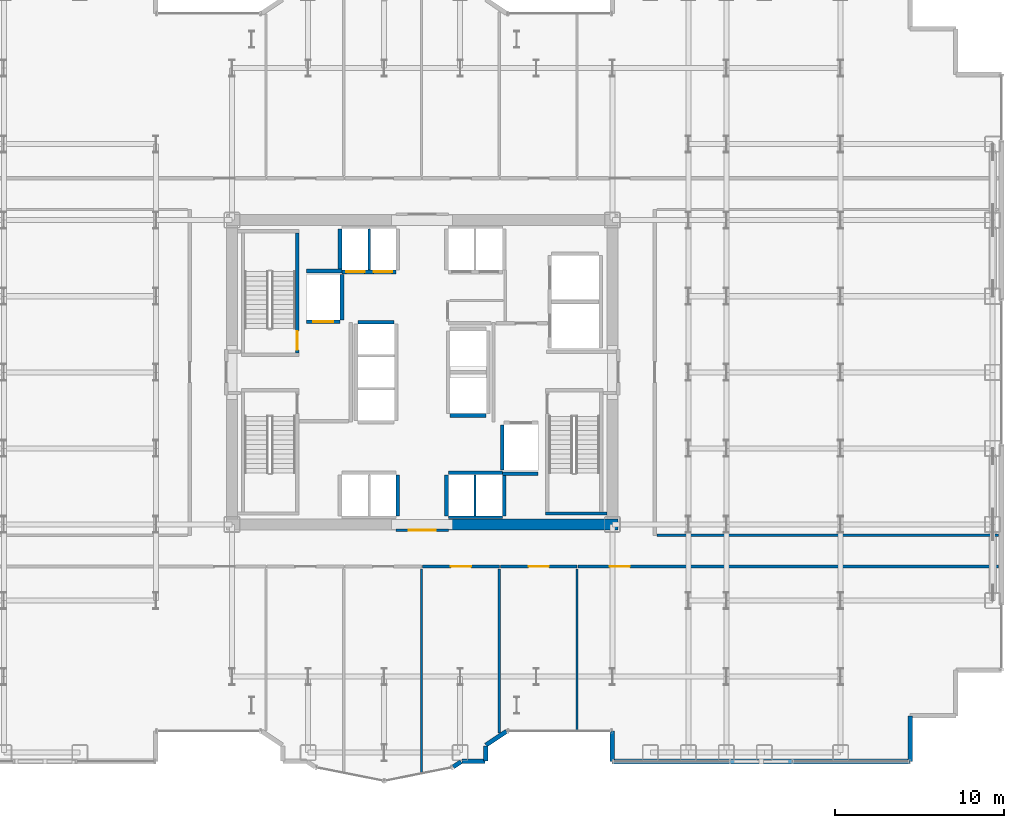
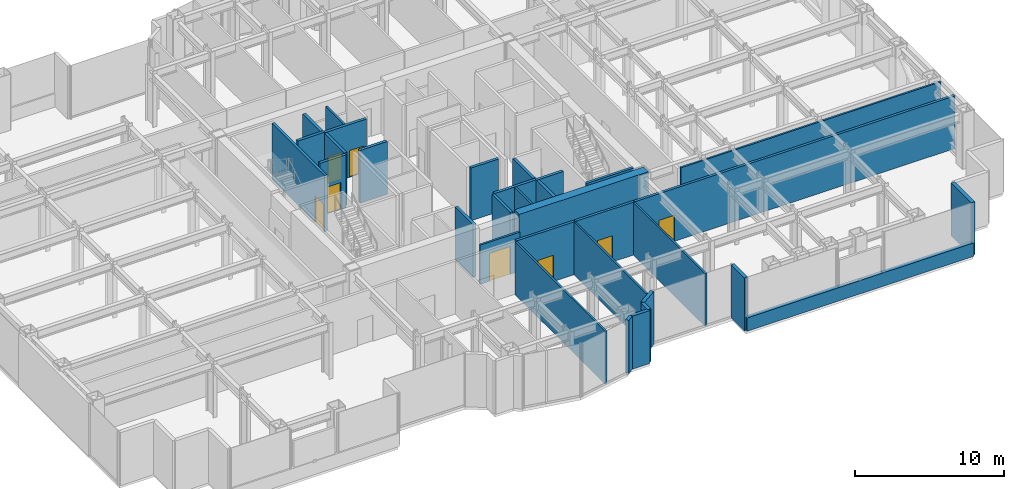
# One storey, part 23 of 30: 34 walls, 8 doors, 8 openings.
"""IFC4 building model written with IfcOpenShell, lengths in metres."""

from ifc_helpers import new_model, si_unit, direction, frame, frame_2d, origin, place, context, subcontext, project, spatial, rectangle, extrude, source, transform, mapped, material, layer, layer_set, type_object, element, fill, save


model = new_model("IFC4")

# Units and contexts
model_context = context("Model", 3, precision=1e-05, world=origin(), true_north=direction((0.0, 1.0)))
body_context = subcontext(model_context, "Body", "Model", "MODEL_VIEW")
ifc_project = project(units=[si_unit("LENGTHUNIT", "METRE"), si_unit("AREAUNIT", "SQUARE_METRE"), si_unit("VOLUMEUNIT", "CUBIC_METRE"), si_unit("PLANEANGLEUNIT", "RADIAN"), si_unit("MASSUNIT", "GRAM", prefix="KILO")], contexts=[model_context])

# Site, building, storey
site_placement = place(None, origin())
site = spatial("IfcSite", under=ifc_project, at=site_placement, CompositionType="ELEMENT")
building_placement = place(site_placement, origin())
building = spatial("IfcBuilding", under=site, at=building_placement, Name="Nefas-Gora Pilgrimage Tower", CompositionType="ELEMENT")
storey_placement = place(building_placement, frame((0.0, 0.0, 86.199951171875)))
storey = spatial("IfcBuildingStorey", under=building, at=storey_placement, Name="L20", CompositionType="ELEMENT", Elevation=86.199951171875)

# Walls
ifc_material_1 = material(Name="Concrete C60/75", Category="concrete")
ifc_layer_1 = layer(ifc_material_1, 0.64990234375)
ifc_layer_set_1 = layer_set([ifc_layer_1], Name="Concrete C60/75")
wall_type_1 = type_object("IfcWallType", Name="SW-CORE-650", PredefinedType="SHEAR", material=ifc_layer_set_1)
shared_shape_1 = source(origin(), body_context, "Body", "SweptSolid", [
    extrude(rectangle(XDim=10.02490234375, YDim=0.64990234375, at=frame_2d((5.012451171875, 0.0))), origin(), (0.0, 0.0, 1.0), 4.60009765625),
])
wall_1_placement = place(storey_placement, frame((1.550048828125, -9.0, 0.0), z_axis=(0.0, 0.0, 1.0), x_axis=(1.0, 0.0, 0.0)))
element("IfcWall", 1, at=wall_1_placement, inside=storey, type_object=wall_type_1, Name="L20 Core Shear Wall S-East", PredefinedType="SHEAR", context=body_context, shape_type="MappedRepresentation", body=[
    mapped(shared_shape_1, transform((0.0, 0.0, 0.0), x_axis=(1.0, 0.0, 0.0), y_axis=(0.0, 1.0, 0.0), z_axis=(0.0, 0.0, 1.0), scale=1.0)),
])
ifc_material_2 = material(Name="Precast concrete C40/50", Category="concrete")
ifc_layer_2 = layer(ifc_material_2, 0.260009765625)
ifc_layer_set_2 = layer_set([ifc_layer_2], Name="Precast concrete C40/50")
wall_type_2 = type_object("IfcWallType", Name="EW-PORTAL-260", PredefinedType="SOLIDWALL", material=ifc_layer_set_2)
shared_shape_2 = source(origin(), body_context, "Body", "SweptSolid", [
    extrude(rectangle(XDim=1.800048828125, YDim=0.260009765625, at=frame_2d((0.89990234375, 0.0))), origin(), (0.0, 0.0, 1.0), 4.35009765625),
])
wall_2_placement = place(storey_placement, frame((11.25, -21.219970703125, 0.0), z_axis=(0.0, 0.0, 1.0), x_axis=(0.0, -1.0, 0.0)))
element("IfcWall", 2, at=wall_2_placement, inside=storey, type_object=wall_type_2, Name="L20 Lobe Shoulder Precast Spandrel Pier 5", PredefinedType="SOLIDWALL", context=body_context, shape_type="MappedRepresentation", body=[
    mapped(shared_shape_2, transform((0.0, 0.0, 0.0), x_axis=(1.0, 0.0, 0.0), y_axis=(0.0, 1.0, 0.0), z_axis=(0.0, 0.0, 1.0), scale=1.0)),
])
ifc_material_3 = material(Name="Precast concrete C45/55", Category="concrete")
ifc_layer_3 = layer(ifc_material_3, 0.280029296875)
ifc_layer_set_3 = layer_set([ifc_layer_3], Name="Precast concrete C45/55")
wall_type_3 = type_object("IfcWallType", Name="EW-PLANT-280", PredefinedType="SOLIDWALL", material=ifc_layer_set_3)
shared_shape_3 = source(origin(), body_context, "Body", "SweptSolid", [
    extrude(rectangle(XDim=17.6201171875, YDim=0.280029296875, at=frame_2d((8.81005859375, 0.0))), origin(), (0.0, 0.0, 1.0), 1.10009765625),
])
wall_3_placement = place(storey_placement, frame((11.25, -23.02001953125, 0.0), z_axis=(0.0, 0.0, 1.0), x_axis=(1.0, 0.0, 0.0)))
element("IfcWall", 3, at=wall_3_placement, inside=storey, type_object=wall_type_3, Name="L20 Plant Upstand Spandrel Wall 6", PredefinedType="SOLIDWALL", context=body_context, shape_type="MappedRepresentation", body=[
    mapped(shared_shape_3, transform((0.0, 0.0, 0.0), x_axis=(1.0, 0.0, 0.0), y_axis=(0.0, 1.0, 0.0), z_axis=(0.0, 0.0, 1.0), scale=1.0)),
])
shared_shape_4 = source(origin(), body_context, "Body", "SweptSolid", [
    extrude(rectangle(XDim=2.699951171875, YDim=0.280029296875, at=frame_2d((1.35009765625, 0.0))), origin(), (0.0, 0.0, 1.0), 4.35009765625),
])
wall_4_placement = place(storey_placement, frame((28.8701171875, -23.02001953125, 0.0), z_axis=(0.0, 0.0, 1.0), x_axis=(0.0, 1.0, 0.0)))
element("IfcWall", 4, at=wall_4_placement, inside=storey, type_object=wall_type_3, Name="L20 Serrated Corner Shear Pier Wall 7", PredefinedType="SOLIDWALL", context=body_context, shape_type="MappedRepresentation", body=[
    mapped(shared_shape_4, transform((0.0, 0.0, 0.0), x_axis=(1.0, 0.0, 0.0), y_axis=(0.0, 1.0, 0.0), z_axis=(0.0, 0.0, 1.0), scale=1.0)),
])
shared_shape_5 = source(origin(), body_context, "Body", "SweptSolid", [
    extrude(rectangle(XDim=1.468994140625, YDim=0.260009765625, at=frame_2d((0.734375, 0.0))), origin(), (0.0, 0.0, 1.0), 4.35009765625),
])
wall_5_placement = place(storey_placement, frame((3.773193359375, -22.0517578125, 0.0), z_axis=(0.0, 0.0, 1.0), x_axis=(0.831461760506, 0.555581983884, 0.0)))
element("IfcWall", 5, at=wall_5_placement, inside=storey, type_object=wall_type_2, Name="L20 Lobe Shoulder Precast Spandrel Pier 44", PredefinedType="SOLIDWALL", context=body_context, shape_type="MappedRepresentation", body=[
    mapped(shared_shape_5, transform((0.0, 0.0, 0.0), x_axis=(1.0, 0.0, 0.0), y_axis=(0.0, 1.0, 0.0), z_axis=(0.0, 0.0, 1.0), scale=1.0)),
])
shared_shape_6 = source(origin(), body_context, "Body", "SweptSolid", [
    extrude(rectangle(XDim=0.896728515625, YDim=0.260009765625, at=frame_2d((0.4482421875, 0.0))), origin(), (0.0, 0.0, 1.0), 4.35009765625),
])
wall_6_placement = place(storey_placement, frame((3.75, -22.991943359375, 0.0), z_axis=(0.0, 0.0, 1.0), x_axis=(0.0, 1.0, 0.0)))
element("IfcWall", 6, at=wall_6_placement, inside=storey, type_object=wall_type_2, Name="L20 Lobe Shoulder Precast Spandrel Pier 43", PredefinedType="SOLIDWALL", context=body_context, shape_type="MappedRepresentation", body=[
    mapped(shared_shape_6, transform((0.0, 0.0, 0.0), x_axis=(1.0, 0.0, 0.0), y_axis=(0.0, 1.0, 0.0), z_axis=(0.0, 0.0, 1.0), scale=1.0)),
])
shared_shape_7 = source(origin(), body_context, "Body", "SweptSolid", [
    extrude(rectangle(XDim=1.369873046875, YDim=0.260009765625, at=frame_2d((0.68505859375, 0.0))), origin(), (0.0, 0.0, 1.0), 4.35009765625),
])
wall_7_placement = place(storey_placement, frame((2.35205078125, -23.02001953125, 0.0), z_axis=(0.0, 0.0, 1.0), x_axis=(1.0, 0.0, 0.0)))
element("IfcWall", 7, at=wall_7_placement, inside=storey, type_object=wall_type_2, Name="L20 Lobe Shoulder Precast Spandrel Pier 42", PredefinedType="SOLIDWALL", context=body_context, shape_type="MappedRepresentation", body=[
    mapped(shared_shape_7, transform((0.0, 0.0, 0.0), x_axis=(1.0, 0.0, 0.0), y_axis=(0.0, 1.0, 0.0), z_axis=(0.0, 0.0, 1.0), scale=1.0)),
])
shared_shape_8 = source(origin(), body_context, "Body", "SweptSolid", [
    extrude(rectangle(XDim=0.5654296875, YDim=0.260009765625, at=frame_2d((0.28271484375, 0.0))), origin(), (0.0, 0.0, 1.0), 4.35009765625),
])
wall_8_placement = place(storey_placement, frame((1.83056640625, -23.349609375, 0.0), z_axis=(0.0, 0.0, 1.0), x_axis=(0.831651492666, 0.555297933317, 0.0)))
element("IfcWall", 8, at=wall_8_placement, inside=storey, type_object=wall_type_2, Name="L20 Lobe Shoulder Precast Spandrel Pier 41", PredefinedType="SOLIDWALL", context=body_context, shape_type="MappedRepresentation", body=[
    mapped(shared_shape_8, transform((0.0, 0.0, 0.0), x_axis=(1.0, 0.0, 0.0), y_axis=(0.0, 1.0, 0.0), z_axis=(0.0, 0.0, 1.0), scale=1.0)),
])
ifc_material_4 = material(Name="Concrete C45/55", Category="concrete")
ifc_layer_4 = layer(ifc_material_4, 0.199951171875)
ifc_layer_set_4 = layer_set([ifc_layer_4], Name="Concrete C45/55")
wall_type_4 = type_object("IfcWallType", Name="IW-STAIR-200", PredefinedType="SOLIDWALL", material=ifc_layer_set_4)
shared_shape_9 = source(origin(), body_context, "Body", "SweptSolid", [
    extrude(rectangle(XDim=3.6298828125, YDim=0.199951171875, at=frame_2d((1.81494140625, 0.0))), origin(), (0.0, 0.0, 1.0), 4.60009765625),
])
wall_9_placement = place(storey_placement, frame((7.300048828125, -8.35009765625, 0.0), z_axis=(0.0, 0.0, 1.0), x_axis=(1.0, 0.0, 0.0)))
element("IfcWall", 9, at=wall_9_placement, inside=storey, type_object=wall_type_4, Name="L20 Stairwell Shear Wall ST-02-far", PredefinedType="SOLIDWALL", context=body_context, shape_type="MappedRepresentation", body=[
    mapped(shared_shape_9, transform((0.0, 0.0, 0.0), x_axis=(1.0, 0.0, 0.0), y_axis=(0.0, 1.0, 0.0), z_axis=(0.0, 0.0, 1.0), scale=1.0)),
])

# Wall, opening, door
shared_shape_10 = source(origin(), body_context, "Body", "SweptSolid", [
    extrude(rectangle(XDim=7.10009765625, YDim=0.199951171875, at=frame_2d((3.550048828125, 0.0))), origin(), (0.0, 0.0, 1.0), 4.60009765625),
])
wall_10_placement = place(storey_placement, frame((-7.39990234375, 1.14990234375, 0.0), z_axis=(0.0, 0.0, 1.0), x_axis=(0.0, 1.0, 0.0)))
wall_10 = element("IfcWall", 10, at=wall_10_placement, inside=storey, type_object=wall_type_4, Name="L20 Stairwell Shear Wall ST-01-left", PredefinedType="SOLIDWALL", context=body_context, shape_type="MappedRepresentation", body=[
    mapped(shared_shape_10, transform((0.0, 0.0, 0.0), x_axis=(1.0, 0.0, 0.0), y_axis=(0.0, 1.0, 0.0), z_axis=(0.0, 0.0, 1.0), scale=1.0)),
])
opening_1_placement = place(wall_10_placement, frame((0.179931640625, 0.0, 0.0)))
opening_1 = element("IfcOpeningElement", 11, at=opening_1_placement, cuts=wall_10, Name="Opening ID-ST1", PredefinedType="OPENING", context=body_context, shape_type="SweptSolid", body=[
    extrude(rectangle(XDim=1.10009765625, YDim=2.14990234375, at=frame_2d((0.550048828125, 1.074951171875))), frame((0.0, 0.10986328125, 0.0), z_axis=(0.0, -1.0, 0.0), x_axis=(1.0, 0.0, 0.0)), (0.0, 0.0, 1.0), 0.219970703125),
])
ifc_material_5 = material(Name="Painted galvanised steel fire stair door", Category="steel")
door_type_1 = type_object("IfcDoorType", Name="DR-INT-STAIR-1100", OperationType="NOTDEFINED", PredefinedType="DOOR", material=ifc_material_5)
shared_shape_11 = source(origin(), body_context, "Body", "SweptSolid", [
    extrude(rectangle(XDim=1.10009765625, YDim=2.14990234375, at=frame_2d((0.550048828125, 1.074951171875))), frame((0.0, 0.02490234375, 0.0), z_axis=(0.0, -1.0, 0.0), x_axis=(1.0, 0.0, 0.0)), (0.0, 0.0, 1.0), 0.050048828125),
])
door_1_placement = place(opening_1_placement, origin())
door_1 = element("IfcDoor", 12, at=door_1_placement, inside=storey, type_object=door_type_1, Name="L20 Protected Exit Stair Door ST-01", OperationType="SINGLE_SWING_RIGHT", OverallHeight=2.14990234375, OverallWidth=1.10009765625, PredefinedType="DOOR", context=body_context, shape_type="MappedRepresentation", body=[
    mapped(shared_shape_11, transform((0.0, 0.0, 0.0), x_axis=(1.0, 0.0, 0.0), y_axis=(0.0, 1.0, 0.0), z_axis=(0.0, 0.0, 1.0), scale=1.0)),
])
fill(opening_1, door_1)

ifc_material_6 = material(Name="Concrete C40/50", Category="concrete")
ifc_layer_5 = layer(ifc_material_6, 0.219970703125)
ifc_layer_set_5 = layer_set([ifc_layer_5], Name="Concrete C40/50")
wall_type_5 = type_object("IfcWallType", Name="IW-SHAFT-220", PredefinedType="SOLIDWALL", material=ifc_layer_set_5)
shared_shape_12 = source(origin(), body_context, "Body", "SweptSolid", [
    extrude(rectangle(XDim=2.0, YDim=0.219970703125, at=frame_2d((1.0, 0.0))), origin(), (0.0, 0.0, 1.0), 4.3349609375),
])
wall_11_placement = place(storey_placement, frame((-6.85009765625, 2.989990234375, 0.0), z_axis=(0.0, 0.0, 1.0), x_axis=(1.0, 0.0, 0.0)))
wall_11 = element("IfcWall", 13, at=wall_11_placement, inside=storey, type_object=wall_type_5, Name="L20 Hoistway Wall FFL-01-S", PredefinedType="SOLIDWALL", context=body_context, shape_type="MappedRepresentation", body=[
    mapped(shared_shape_12, transform((0.0, 0.0, 0.0), x_axis=(1.0, 0.0, 0.0), y_axis=(0.0, 1.0, 0.0), z_axis=(0.0, 0.0, 1.0), scale=1.0)),
])
opening_2_placement = place(wall_11_placement, frame((0.39990234375, 0.0, 0.0)))
opening_2 = element("IfcOpeningElement", 14, at=opening_2_placement, cuts=wall_11, Name="Opening LD-FF", PredefinedType="OPENING", context=body_context, shape_type="SweptSolid", body=[
    extrude(rectangle(XDim=1.199951171875, YDim=2.199951171875, at=frame_2d((0.60009765625, 1.10009765625))), frame((0.0, 0.119873046875, 0.0), z_axis=(0.0, -1.0, 0.0), x_axis=(1.0, 0.0, 0.0)), (0.0, 0.0, 1.0), 0.239990234375),
])
ifc_material_7 = material(Name="Fire-service sliding lift landing door")
door_type_2 = type_object("IfcDoorType", Name="DR-LIFT-FSAE-1200", OperationType="SLIDING_TO_LEFT", PredefinedType="DOOR", material=ifc_material_7)
shared_shape_13 = source(origin(), body_context, "Body", "SweptSolid", [
    extrude(rectangle(XDim=1.199951171875, YDim=2.199951171875, at=frame_2d((0.60009765625, 1.10009765625))), frame((0.0, 0.02490234375, 0.0), z_axis=(0.0, -1.0, 0.0), x_axis=(1.0, 0.0, 0.0)), (0.0, 0.0, 1.0), 0.050048828125),
])
door_2_placement = place(opening_2_placement, origin())
door_2 = element("IfcDoor", 15, at=door_2_placement, inside=storey, type_object=door_type_2, Name="L20 Sliding Lift Landing Door FFL-01", OperationType="SLIDING_TO_LEFT", OverallHeight=2.199951171875, OverallWidth=1.199951171875, PredefinedType="DOOR", context=body_context, shape_type="MappedRepresentation", body=[
    mapped(shared_shape_13, transform((0.0, 0.0, 0.0), x_axis=(1.0, 0.0, 0.0), y_axis=(0.0, 1.0, 0.0), z_axis=(0.0, 0.0, 1.0), scale=1.0)),
])
fill(opening_2, door_2)

# Walls
shared_shape_14 = source(origin(), body_context, "Body", "SweptSolid", [
    extrude(rectangle(XDim=2.679931640625, YDim=0.219970703125, at=frame_2d((1.33984375, 0.0))), origin(), (0.0, 0.0, 1.0), 4.3349609375),
])
for number, where, z_axis, x_axis, name in (
    (16, (-4.739990234375, 3.110107421875, 0.0), (0.0, 0.0, 1.0), (0.0, 1.0, 0.0), "L20 Hoistway Wall FFL-01-E"),
    (17, (4.739990234375, -3.110107421875, 0.0), (0.0, 0.0, 1.0), (0.0, -1.0, 0.0), "L20 Hoistway Wall FFL-02-W"),
):
    element("IfcWall", number, at=place(storey_placement, frame(where, z_axis=z_axis, x_axis=x_axis)), inside=storey, type_object=wall_type_5, Name=name, PredefinedType="SOLIDWALL", context=body_context, shape_type="MappedRepresentation", body=[
        mapped(shared_shape_14, transform((0.0, 0.0, 0.0), x_axis=(1.0, 0.0, 0.0), y_axis=(0.0, 1.0, 0.0), z_axis=(0.0, 0.0, 1.0), scale=1.0)),
    ])

# Wall, openings, doors
shared_shape_15 = source(origin(), body_context, "Body", "SweptSolid", [
    extrude(rectangle(XDim=3.199951171875, YDim=0.219970703125, at=frame_2d((1.60009765625, 0.0))), origin(), (0.0, 0.0, 1.0), 4.3349609375),
])
wall_12_placement = place(storey_placement, frame((-4.75, 5.93994140625, 0.0), z_axis=(0.0, 0.0, 1.0), x_axis=(1.0, 0.0, 0.0)))
wall_12 = element("IfcWall", 18, at=wall_12_placement, inside=storey, type_object=wall_type_5, Name="L20 Hoistway Wall PL1-W-S", PredefinedType="SOLIDWALL", context=body_context, shape_type="MappedRepresentation", body=[
    mapped(shared_shape_15, transform((0.0, 0.0, 0.0), x_axis=(1.0, 0.0, 0.0), y_axis=(0.0, 1.0, 0.0), z_axis=(0.0, 0.0, 1.0), scale=1.0)),
])
opening_3_placement = place(wall_12_placement, frame((0.25, 0.0, 0.0)))
opening_3 = element("IfcOpeningElement", 19, at=opening_3_placement, cuts=wall_12, Name="Opening LD-01", PredefinedType="OPENING", context=body_context, shape_type="SweptSolid", body=[
    extrude(rectangle(XDim=1.10009765625, YDim=2.199951171875, at=frame_2d((0.550048828125, 1.10009765625))), frame((0.0, 0.119873046875, 0.0), z_axis=(0.0, -1.0, 0.0), x_axis=(1.0, 0.0, 0.0)), (0.0, 0.0, 1.0), 0.239990234375),
])
opening_4_placement = place(wall_12_placement, frame((1.875, 0.0, 0.0)))
opening_4 = element("IfcOpeningElement", 20, at=opening_4_placement, cuts=wall_12, Name="Opening LD-01", PredefinedType="OPENING", context=body_context, shape_type="SweptSolid", body=[
    extrude(rectangle(XDim=1.10009765625, YDim=2.199951171875, at=frame_2d((0.550048828125, 1.10009765625))), frame((0.0, 0.119873046875, 0.0), z_axis=(0.0, -1.0, 0.0), x_axis=(1.0, 0.0, 0.0)), (0.0, 0.0, 1.0), 0.239990234375),
])
ifc_material_8 = material(Name="Brushed stainless sliding lift landing door")
door_type_3 = type_object("IfcDoorType", Name="DR-LIFT-PASS-1100", OperationType="DOUBLE_DOOR_SLIDING", PredefinedType="DOOR", material=ifc_material_8)
shared_shape_16 = source(origin(), body_context, "Body", "SweptSolid", [
    extrude(rectangle(XDim=1.10009765625, YDim=2.199951171875, at=frame_2d((0.550048828125, 1.10009765625))), frame((0.0, 0.02490234375, 0.0), z_axis=(0.0, -1.0, 0.0), x_axis=(1.0, 0.0, 0.0)), (0.0, 0.0, 1.0), 0.050048828125),
])
door_3_placement = place(opening_3_placement, origin())
door_3 = element("IfcDoor", 21, at=door_3_placement, inside=storey, type_object=door_type_3, Name="L20 Sliding Lift Landing Door PL1-01", OperationType="DOUBLE_DOOR_SLIDING", OverallHeight=2.199951171875, OverallWidth=1.10009765625, PredefinedType="DOOR", context=body_context, shape_type="MappedRepresentation", body=[
    mapped(shared_shape_16, transform((0.0, 0.0, 0.0), x_axis=(1.0, 0.0, 0.0), y_axis=(0.0, 1.0, 0.0), z_axis=(0.0, 0.0, 1.0), scale=1.0)),
])
fill(opening_3, door_3)
door_4_placement = place(opening_4_placement, origin())
door_4 = element("IfcDoor", 22, at=door_4_placement, inside=storey, type_object=door_type_3, Name="L20 Sliding Lift Landing Door PL1-02", OperationType="DOUBLE_DOOR_SLIDING", OverallHeight=2.199951171875, OverallWidth=1.10009765625, PredefinedType="DOOR", context=body_context, shape_type="MappedRepresentation", body=[
    mapped(shared_shape_16, transform((0.0, 0.0, 0.0), x_axis=(1.0, 0.0, 0.0), y_axis=(0.0, 1.0, 0.0), z_axis=(0.0, 0.0, 1.0), scale=1.0)),
])
fill(opening_4, door_4)

# Walls
wall_13_placement = place(storey_placement, frame((4.75, -5.93994140625, 0.0), z_axis=(0.0, 0.0, 1.0), x_axis=(-1.0, 0.0, 0.0)))
element("IfcWall", 23, at=wall_13_placement, inside=storey, type_object=wall_type_5, Name="L20 Hoistway Wall PL2-E-N", PredefinedType="SOLIDWALL", context=body_context, shape_type="MappedRepresentation", body=[
    mapped(shared_shape_15, transform((0.0, 0.0, 0.0), x_axis=(1.0, 0.0, 0.0), y_axis=(0.0, 1.0, 0.0), z_axis=(0.0, 0.0, 1.0), scale=1.0)),
])
ifc_material_9 = material(Name="Gypsum acoustic stud partition")
ifc_layer_6 = layer(ifc_material_9, 0.159912109375)
ifc_layer_set_6 = layer_set([ifc_layer_6], Name="Gypsum acoustic stud partition")
wall_type_6 = type_object("IfcWallType", Name="IW-CORR-160", PredefinedType="PARTITIONING", material=ifc_layer_set_6)
shared_shape_17 = source(origin(), body_context, "Body", "SweptSolid", [
    extrude(rectangle(XDim=3.199951171875, YDim=0.159912109375, at=frame_2d((1.60009765625, 0.0))), origin(), (0.0, 0.0, 1.0), 3.22509765625),
])
wall_14_placement = place(storey_placement, frame((1.550048828125, -8.580078125, 0.0), z_axis=(0.0, 0.0, 1.0), x_axis=(1.0, 0.0, 0.0)))
element("IfcWall", 24, at=wall_14_placement, inside=storey, type_object=wall_type_6, Name="L20 Hoistway Wall PL2-E-S", PredefinedType="PARTITIONING", context=body_context, shape_type="MappedRepresentation", body=[
    mapped(shared_shape_17, transform((0.0, 0.0, 0.0), x_axis=(1.0, 0.0, 0.0), y_axis=(0.0, 1.0, 0.0), z_axis=(0.0, 0.0, 1.0), scale=1.0)),
])
shared_shape_18 = source(origin(), body_context, "Body", "SweptSolid", [
    extrude(rectangle(XDim=2.429931640625, YDim=0.219970703125, at=frame_2d((1.21484375, 0.0))), origin(), (0.0, 0.0, 1.0), 4.3349609375),
])
for number, where, z_axis, x_axis, name in (
    (25, (-4.860107421875, 8.489990234375, 0.0), (0.0, 0.0, 1.0), (0.0, -1.0, 0.0), "L20 Hoistway Wall PL1-W-W"),
    (26, (-1.43994140625, -8.489990234375, 0.0), (0.0, 0.0, 1.0), (0.0, 1.0, 0.0), "L20 Hoistway Wall PL2-W-E"),
    (27, (1.43994140625, -6.06005859375, 0.0), (0.0, 0.0, 1.0), (0.0, -1.0, 0.0), "L20 Hoistway Wall PL2-E-W"),
    (28, (4.860107421875, -8.489990234375, 0.0), (0.0, 0.0, 1.0), (0.0, 1.0, 0.0), "L20 Hoistway Wall PL2-E-E"),
):
    element("IfcWall", number, at=place(storey_placement, frame(where, z_axis=z_axis, x_axis=x_axis)), inside=storey, type_object=wall_type_5, Name=name, PredefinedType="SOLIDWALL", context=body_context, shape_type="MappedRepresentation", body=[
        mapped(shared_shape_18, transform((0.0, 0.0, 0.0), x_axis=(1.0, 0.0, 0.0), y_axis=(0.0, 1.0, 0.0), z_axis=(0.0, 0.0, 1.0), scale=1.0)),
    ])
ifc_material_10 = material(Name="Gypsum twin-stud partition")
ifc_layer_7 = layer(ifc_material_10, 0.139892578125)
ifc_layer_set_7 = layer_set([ifc_layer_7], Name="Gypsum twin-stud partition")
wall_type_7 = type_object("IfcWallType", Name="IW-UNIT-140", PredefinedType="PARTITIONING", material=ifc_layer_set_7)
shared_shape_19 = source(origin(), body_context, "Body", "SweptSolid", [
    extrude(rectangle(XDim=2.429931640625, YDim=0.139892578125, at=frame_2d((1.21484375, 0.0))), origin(), (0.0, 0.0, 1.0), 4.3349609375),
])
for number, where, z_axis, x_axis, name in (
    (29, (-3.125, 6.06005859375, 0.0), (0.0, 0.0, 1.0), (0.0, 1.0, 0.0), "L20 Hoistway Wall PL1-W-DIV"),
    (30, (3.125, -8.489990234375, 0.0), (0.0, 0.0, 1.0), (0.0, 1.0, 0.0), "L20 Hoistway Wall PL2-E-DIV"),
):
    element("IfcWall", number, at=place(storey_placement, frame(where, z_axis=z_axis, x_axis=x_axis)), inside=storey, type_object=wall_type_7, Name=name, PredefinedType="PARTITIONING", context=body_context, shape_type="MappedRepresentation", body=[
        mapped(shared_shape_19, transform((0.0, 0.0, 0.0), x_axis=(1.0, 0.0, 0.0), y_axis=(0.0, 1.0, 0.0), z_axis=(0.0, 0.0, 1.0), scale=1.0)),
    ])
shared_shape_20 = source(origin(), body_context, "Body", "SweptSolid", [
    extrude(rectangle(XDim=2.130126953125, YDim=0.219970703125, at=frame_2d((1.06494140625, 0.0))), origin(), (0.0, 0.0, 1.0), 4.3349609375),
])
for number, where, z_axis, x_axis, name in (
    (31, (-1.659912109375, 2.9599609375, 0.0), (0.0, 0.0, 1.0), (-1.0, 0.0, 0.0), "L20 Hoistway Wall PL3-03-N"),
    (32, (1.659912109375, -2.56005859375, 0.0), (0.0, 0.0, 1.0), (1.0, 0.0, 0.0), "L20 Hoistway Wall OBS-01-S"),
):
    element("IfcWall", number, at=place(storey_placement, frame(where, z_axis=z_axis, x_axis=x_axis)), inside=storey, type_object=wall_type_5, Name=name, PredefinedType="SOLIDWALL", context=body_context, shape_type="MappedRepresentation", body=[
        mapped(shared_shape_20, transform((0.0, 0.0, 0.0), x_axis=(1.0, 0.0, 0.0), y_axis=(0.0, 1.0, 0.0), z_axis=(0.0, 0.0, 1.0), scale=1.0)),
    ])
shared_shape_21 = source(origin(), body_context, "Body", "SweptSolid", [
    extrude(rectangle(XDim=2.09521484375, YDim=0.219970703125, at=frame_2d((1.047607421875, 0.0))), origin(), (0.0, 0.0, 1.0), 4.3349609375),
])
for number, where, z_axis, x_axis, name in (
    (33, (-6.85009765625, 6.0, 0.0), (0.0, 0.0, 1.0), (1.0, 0.0, 0.0), "L20 Riser Shaft Wall 1"),
    (34, (4.7548828125, -6.0, 0.0), (0.0, 0.0, 1.0), (1.0, 0.0, 0.0), "L20 Riser Shaft Wall 2"),
):
    element("IfcWall", number, at=place(storey_placement, frame(where, z_axis=z_axis, x_axis=x_axis)), inside=storey, type_object=wall_type_5, Name=name, PredefinedType="SOLIDWALL", context=body_context, shape_type="MappedRepresentation", body=[
        mapped(shared_shape_21, transform((0.0, 0.0, 0.0), x_axis=(1.0, 0.0, 0.0), y_axis=(0.0, 1.0, 0.0), z_axis=(0.0, 0.0, 1.0), scale=1.0)),
    ])

# Wall, opening, door
shared_shape_22 = source(origin(), body_context, "Body", "SweptSolid", [
    extrude(rectangle(XDim=3.08984375, YDim=0.159912109375, at=frame_2d((1.544921875, 0.0))), origin(), (0.0, 0.0, 1.0), 3.22509765625),
])
wall_15_placement = place(storey_placement, frame((-1.544921875, -9.35009765625, 0.0), z_axis=(0.0, 0.0, 1.0), x_axis=(1.0, 0.0, 0.0)))
wall_15 = element("IfcWall", 35, at=wall_15_placement, inside=storey, type_object=wall_type_6, Name="L20 Central Lift Lobby South Portal Wall 15", PredefinedType="PARTITIONING", context=body_context, shape_type="MappedRepresentation", body=[
    mapped(shared_shape_22, transform((0.0, 0.0, 0.0), x_axis=(1.0, 0.0, 0.0), y_axis=(0.0, 1.0, 0.0), z_axis=(0.0, 0.0, 1.0), scale=1.0)),
])
opening_5_placement = place(wall_15_placement, frame((0.7451171875, 0.0, 0.0)))
opening_5 = element("IfcOpeningElement", 36, at=opening_5_placement, cuts=wall_15, Name="Opening ID-HL1", PredefinedType="OPENING", context=body_context, shape_type="SweptSolid", body=[
    extrude(rectangle(XDim=1.60009765625, YDim=2.300048828125, at=frame_2d((0.800048828125, 1.14990234375))), frame((0.0, 0.08984375, 0.0), z_axis=(0.0, -1.0, 0.0), x_axis=(1.0, 0.0, 0.0)), (0.0, 0.0, 1.0), 0.179931640625),
])
ifc_material_11 = material(Name="Double acoustic timber assembly hall door", Category="wood")
door_type_4 = type_object("IfcDoorType", Name="DR-INT-HALL-1600", OperationType="DOUBLE_DOOR_SINGLE_SWING", PredefinedType="DOOR", material=ifc_material_11)
shared_shape_23 = source(origin(), body_context, "Body", "SweptSolid", [
    extrude(rectangle(XDim=1.60009765625, YDim=2.300048828125, at=frame_2d((0.800048828125, 1.14990234375))), frame((0.0, 0.02490234375, 0.0), z_axis=(0.0, -1.0, 0.0), x_axis=(1.0, 0.0, 0.0)), (0.0, 0.0, 1.0), 0.050048828125),
])
door_5_placement = place(opening_5_placement, origin())
door_5 = element("IfcDoor", 37, at=door_5_placement, inside=storey, type_object=door_type_4, Name="L20 Central Lift Lobby South Portal Door 5", OperationType="DOUBLE_DOOR_SINGLE_SWING", OverallHeight=2.300048828125, OverallWidth=1.60009765625, PredefinedType="DOOR", context=body_context, shape_type="MappedRepresentation", body=[
    mapped(shared_shape_23, transform((0.0, 0.0, 0.0), x_axis=(1.0, 0.0, 0.0), y_axis=(0.0, 1.0, 0.0), z_axis=(0.0, 0.0, 1.0), scale=1.0)),
])
fill(opening_5, door_5)

# Wall
shared_shape_24 = source(origin(), body_context, "Body", "SweptSolid", [
    extrude(rectangle(XDim=20.190185546875, YDim=0.139892578125, at=frame_2d((10.09521484375, 0.0))), origin(), (0.0, 0.0, 1.0), 4.3349609375),
])
wall_16_placement = place(storey_placement, frame((13.889892578125, -9.6298828125, 0.0), z_axis=(0.0, 0.0, 1.0), x_axis=(1.0, 0.0, 0.0)))
element("IfcWall", 38, at=wall_16_placement, inside=storey, type_object=wall_type_7, Name="L20 Refuge Area East Partition Wall 24", PredefinedType="PARTITIONING", context=body_context, shape_type="MappedRepresentation", body=[
    mapped(shared_shape_24, transform((0.0, 0.0, 0.0), x_axis=(1.0, 0.0, 0.0), y_axis=(0.0, 1.0, 0.0), z_axis=(0.0, 0.0, 1.0), scale=1.0)),
])

# Wall, opening, door
ifc_layer_8 = layer(ifc_material_6, 0.199951171875)
ifc_layer_set_8 = layer_set([ifc_layer_8], Name="Concrete C40/50")
wall_type_8 = type_object("IfcWallType", Name="IW-PLANT-200", PredefinedType="SOLIDWALL", material=ifc_layer_set_8)
shared_shape_25 = source(origin(), body_context, "Body", "SweptSolid", [
    extrude(rectangle(XDim=24.85009765625, YDim=0.199951171875, at=frame_2d((12.425048828125, 0.0))), origin(), (0.0, 0.0, 1.0), 4.3349609375),
])
wall_17_placement = place(storey_placement, frame((9.22998046875, -11.489990234375, 0.0), z_axis=(0.0, 0.0, 1.0), x_axis=(1.0, 0.0, 0.0)))
wall_17 = element("IfcWall", 39, at=wall_17_placement, inside=storey, type_object=wall_type_8, Name="L20 Emergency Smoke Extract Fan Plant Room Partition Wall 46", PredefinedType="SOLIDWALL", context=body_context, shape_type="MappedRepresentation", body=[
    mapped(shared_shape_25, transform((0.0, 0.0, 0.0), x_axis=(1.0, 0.0, 0.0), y_axis=(0.0, 1.0, 0.0), z_axis=(0.0, 0.0, 1.0), scale=1.0)),
])
opening_6_placement = place(wall_17_placement, frame((1.864013671875, 0.0, 0.0)))
opening_6 = element("IfcOpeningElement", 40, at=opening_6_placement, cuts=wall_17, Name="Opening ID-PL1", PredefinedType="OPENING", context=body_context, shape_type="SweptSolid", body=[
    extrude(rectangle(XDim=1.199951171875, YDim=2.14990234375, at=frame_2d((0.60009765625, 1.074951171875))), frame((0.0, 0.10986328125, 0.0), z_axis=(0.0, -1.0, 0.0), x_axis=(1.0, 0.0, 0.0)), (0.0, 0.0, 1.0), 0.219970703125),
])
ifc_material_12 = material(Name="Heavy-duty steel plant room fire door", Category="steel")
door_type_5 = type_object("IfcDoorType", Name="DR-INT-PLANT-1200", OperationType="NOTDEFINED", PredefinedType="DOOR", material=ifc_material_12)
shared_shape_26 = source(origin(), body_context, "Body", "SweptSolid", [
    extrude(rectangle(XDim=1.199951171875, YDim=2.14990234375, at=frame_2d((0.60009765625, 1.074951171875))), frame((0.0, 0.02490234375, 0.0), z_axis=(0.0, -1.0, 0.0), x_axis=(1.0, 0.0, 0.0)), (0.0, 0.0, 1.0), 0.050048828125),
])
door_6_placement = place(opening_6_placement, origin())
door_6 = element("IfcDoor", 41, at=door_6_placement, inside=storey, type_object=door_type_5, Name="L20 Emergency Smoke Extract Fan Plant Room Door 20", OperationType="SINGLE_SWING_LEFT", OverallHeight=2.14990234375, OverallWidth=1.199951171875, PredefinedType="DOOR", context=body_context, shape_type="MappedRepresentation", body=[
    mapped(shared_shape_26, transform((0.0, 0.0, 0.0), x_axis=(1.0, 0.0, 0.0), y_axis=(0.0, 1.0, 0.0), z_axis=(0.0, 0.0, 1.0), scale=1.0)),
])
fill(opening_6, door_6)

shared_shape_27 = source(origin(), body_context, "Body", "SweptSolid", [
    extrude(rectangle(XDim=4.5400390625, YDim=0.199951171875, at=frame_2d((2.27001953125, 0.0))), origin(), (0.0, 0.0, 1.0), 4.3349609375),
])
wall_18_placement = place(storey_placement, frame((0.030029296875, -11.489990234375, 0.0), z_axis=(0.0, 0.0, 1.0), x_axis=(1.0, 0.0, 0.0)))
wall_18 = element("IfcWall", 42, at=wall_18_placement, inside=storey, type_object=wall_type_8, Name="L20 Domestic and Fire Reserve Water Tank Plant Room Partition Wall 42", PredefinedType="SOLIDWALL", context=body_context, shape_type="MappedRepresentation", body=[
    mapped(shared_shape_27, transform((0.0, 0.0, 0.0), x_axis=(1.0, 0.0, 0.0), y_axis=(0.0, 1.0, 0.0), z_axis=(0.0, 0.0, 1.0), scale=1.0)),
])
opening_7_placement = place(wall_18_placement, frame((1.669921875, 0.0, 0.0)))
opening_7 = element("IfcOpeningElement", 43, at=opening_7_placement, cuts=wall_18, Name="Opening ID-PL1", PredefinedType="OPENING", context=body_context, shape_type="SweptSolid", body=[
    extrude(rectangle(XDim=1.199951171875, YDim=2.14990234375, at=frame_2d((0.60009765625, 1.074951171875))), frame((0.0, 0.10986328125, 0.0), z_axis=(0.0, -1.0, 0.0), x_axis=(1.0, 0.0, 0.0)), (0.0, 0.0, 1.0), 0.219970703125),
])
door_7_placement = place(opening_7_placement, origin())
door_7 = element("IfcDoor", 44, at=door_7_placement, inside=storey, type_object=door_type_5, Name="L20 Domestic and Fire Reserve Water Tank Plant Room Door 18", OperationType="SINGLE_SWING_LEFT", OverallHeight=2.14990234375, OverallWidth=1.199951171875, PredefinedType="DOOR", context=body_context, shape_type="MappedRepresentation", body=[
    mapped(shared_shape_26, transform((0.0, 0.0, 0.0), x_axis=(1.0, 0.0, 0.0), y_axis=(0.0, 1.0, 0.0), z_axis=(0.0, 0.0, 1.0), scale=1.0)),
])
fill(opening_7, door_7)

wall_19_placement = place(storey_placement, frame((4.6298828125, -11.489990234375, 0.0), z_axis=(0.0, 0.0, 1.0), x_axis=(1.0, 0.0, 0.0)))
wall_19 = element("IfcWall", 45, at=wall_19_placement, inside=storey, type_object=wall_type_8, Name="L20 Emergency Life-Safety UPS Plant Room Partition Wall 44", PredefinedType="SOLIDWALL", context=body_context, shape_type="MappedRepresentation", body=[
    mapped(shared_shape_27, transform((0.0, 0.0, 0.0), x_axis=(1.0, 0.0, 0.0), y_axis=(0.0, 1.0, 0.0), z_axis=(0.0, 0.0, 1.0), scale=1.0)),
])
opening_8_placement = place(wall_19_placement, frame((1.669921875, 0.0, 0.0)))
opening_8 = element("IfcOpeningElement", 46, at=opening_8_placement, cuts=wall_19, Name="Opening ID-PL1", PredefinedType="OPENING", context=body_context, shape_type="SweptSolid", body=[
    extrude(rectangle(XDim=1.199951171875, YDim=2.14990234375, at=frame_2d((0.60009765625, 1.074951171875))), frame((0.0, 0.10986328125, 0.0), z_axis=(0.0, -1.0, 0.0), x_axis=(1.0, 0.0, 0.0)), (0.0, 0.0, 1.0), 0.219970703125),
])
door_8_placement = place(opening_8_placement, origin())
door_8 = element("IfcDoor", 47, at=door_8_placement, inside=storey, type_object=door_type_5, Name="L20 Emergency Life-Safety UPS Plant Room Door 19", OperationType="SINGLE_SWING_RIGHT", OverallHeight=2.14990234375, OverallWidth=1.199951171875, PredefinedType="DOOR", context=body_context, shape_type="MappedRepresentation", body=[
    mapped(shared_shape_26, transform((0.0, 0.0, 0.0), x_axis=(1.0, 0.0, 0.0), y_axis=(0.0, 1.0, 0.0), z_axis=(0.0, 0.0, 1.0), scale=1.0)),
])
fill(opening_8, door_8)

# Walls
shared_shape_28 = source(origin(), body_context, "Body", "SweptSolid", [
    extrude(rectangle(XDim=12.123291015625, YDim=0.139892578125, at=frame_2d((6.0615234375, 0.0))), origin(), (0.0, 0.0, 1.0), 4.3349609375),
])
wall_20_placement = place(storey_placement, frame((-0.0400390625, -23.753173828125, 0.0), z_axis=(0.0, 0.0, 1.0), x_axis=(0.0, 1.0, 0.0)))
element("IfcWall", 48, at=wall_20_placement, inside=storey, type_object=wall_type_7, Name="L20 Domestic Cold Water Booster Plant Room Partition Wall 41", PredefinedType="PARTITIONING", context=body_context, shape_type="MappedRepresentation", body=[
    mapped(shared_shape_28, transform((0.0, 0.0, 0.0), x_axis=(1.0, 0.0, 0.0), y_axis=(0.0, 1.0, 0.0), z_axis=(0.0, 0.0, 1.0), scale=1.0)),
])
shared_shape_29 = source(origin(), body_context, "Body", "SweptSolid", [
    extrude(rectangle(XDim=9.694091796875, YDim=0.139892578125, at=frame_2d((4.84716796875, 0.0))), origin(), (0.0, 0.0, 1.0), 4.3349609375),
])
wall_21_placement = place(storey_placement, frame((4.56005859375, -21.323974609375, 0.0), z_axis=(0.0, 0.0, 1.0), x_axis=(0.0, 1.0, 0.0)))
element("IfcWall", 49, at=wall_21_placement, inside=storey, type_object=wall_type_7, Name="L20 Domestic and Fire Reserve Water Tank Plant Room Partition Wall 43", PredefinedType="PARTITIONING", context=body_context, shape_type="MappedRepresentation", body=[
    mapped(shared_shape_29, transform((0.0, 0.0, 0.0), x_axis=(1.0, 0.0, 0.0), y_axis=(0.0, 1.0, 0.0), z_axis=(0.0, 0.0, 1.0), scale=1.0)),
])
shared_shape_30 = source(origin(), body_context, "Body", "SweptSolid", [
    extrude(rectangle(XDim=9.610107421875, YDim=0.139892578125, at=frame_2d((4.80517578125, 0.0))), origin(), (0.0, 0.0, 1.0), 4.3349609375),
])
wall_22_placement = place(storey_placement, frame((9.159912109375, -21.239990234375, 0.0), z_axis=(0.0, 0.0, 1.0), x_axis=(0.0, 1.0, 0.0)))
element("IfcWall", 50, at=wall_22_placement, inside=storey, type_object=wall_type_7, Name="L20 Emergency Life-Safety UPS Plant Room Partition Wall 45", PredefinedType="PARTITIONING", context=body_context, shape_type="MappedRepresentation", body=[
    mapped(shared_shape_30, transform((0.0, 0.0, 0.0), x_axis=(1.0, 0.0, 0.0), y_axis=(0.0, 1.0, 0.0), z_axis=(0.0, 0.0, 1.0), scale=1.0)),
])

save(model, "model.ifc")
